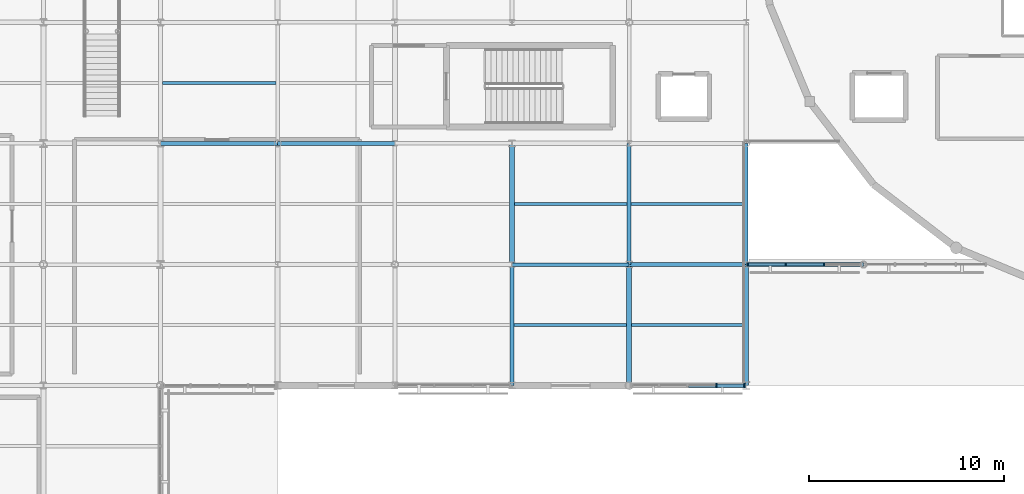
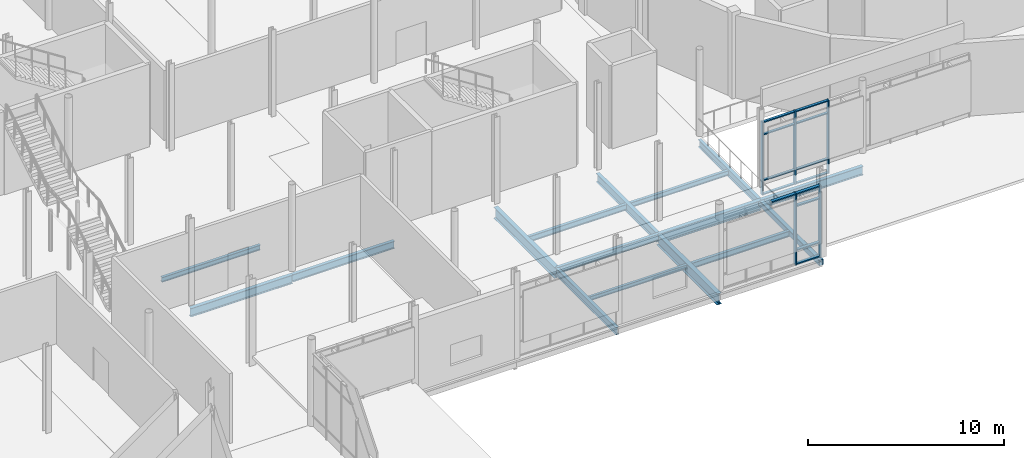
# One storey, part 27 of 105: 18 members, 16 beams, 2 elements without a shape of their own.
"""IFC4 building model written with IfcOpenShell, lengths in metres."""

from ifc_helpers import new_model, si_unit, direction, frame, origin, origin_2d, place, context, subcontext, project, spatial, rectangle, hollow_rectangle, i_section, extrude, material, layer, layer_set, material_profile, profile_set, type_object, element, aggregate, save


model = new_model("IFC4")

# Units and contexts
model_context = context("Model", 3, precision=1e-05, world=origin(), true_north=direction((0.0, 1.0)))
body_context = subcontext(model_context, "Body", "Model", "MODEL_VIEW")
ifc_project = project(units=[si_unit("LENGTHUNIT", "METRE"), si_unit("AREAUNIT", "SQUARE_METRE"), si_unit("VOLUMEUNIT", "CUBIC_METRE"), si_unit("PLANEANGLEUNIT", "RADIAN"), si_unit("MASSUNIT", "GRAM", prefix="KILO")], contexts=[model_context])

# Site, building, storey
site_placement = place(None, origin())
site = spatial("IfcSite", under=ifc_project, at=site_placement, CompositionType="ELEMENT")
building_placement = place(site_placement, origin())
building = spatial("IfcBuilding", under=site, at=building_placement, Name="Mirzam Square Science Centre", CompositionType="ELEMENT")
storey_placement = place(building_placement, frame((0.0, 0.0, 5.39990234375)))
storey = spatial("IfcBuildingStorey", under=building, at=storey_placement, Name="L01", CompositionType="ELEMENT", Elevation=5.39990234375)

# Beams
ifc_material_1 = material(Name="Steel S355", Category="steel")
ifc_material_profile_1 = material_profile(ifc_material_1, i_section(OverallWidth=0.1787109375, OverallDepth=0.409423828125, WebThickness=0.0087890625, FlangeThickness=0.014404296875, FilletRadius=0.01025390625, at=origin_2d()), Name="406x178x67UB")
ifc_profile_set_1 = profile_set([ifc_material_profile_1], Name="Steel S355")
beam_type_1 = type_object("IfcBeamType", Name="BM-UB406", PredefinedType="BEAM", material=ifc_profile_set_1)
beam_1_placement = place(storey_placement, frame((48.0, 43.39990234375, -0.464599609375), z_axis=(1.0, 0.0, 0.0), x_axis=(0.0, 1.0, 0.0)))
element("IfcBeam", 1, at=beam_1_placement, inside=storey, type_object=beam_type_1, Name="L01 girder X9-8", PredefinedType="BEAM", context=body_context, shape_type="SweptSolid", body=[
    extrude(i_section(OverallWidth=0.1787109375, OverallDepth=0.409423828125, WebThickness=0.0087890625, FlangeThickness=0.014404296875, FilletRadius=0.01025390625, at=origin_2d()), origin(), (0.0, 0.0, 1.0), 6.0),
])
ifc_material_profile_2 = material_profile(ifc_material_1, i_section(OverallWidth=0.19140625, OverallDepth=0.4599609375, WebThickness=0.010009765625, FlangeThickness=0.01611328125, FilletRadius=0.01025390625, at=origin_2d()), Name="457x191x82UB")
ifc_profile_set_2 = profile_set([ifc_material_profile_2], Name="Steel S355")
beam_type_2 = type_object("IfcBeamType", Name="BM-UB457", PredefinedType="BEAM", material=ifc_profile_set_2)
beam_2_placement = place(storey_placement, frame((36.0, 49.60009765625, -0.489990234375), z_axis=(1.0, 0.0, 0.0), x_axis=(0.0, 1.0, 0.0)))
element("IfcBeam", 2, at=beam_2_placement, inside=storey, type_object=beam_type_2, Name="L01 girder X7-9", PredefinedType="BEAM", context=body_context, shape_type="SweptSolid", body=[
    extrude(i_section(OverallWidth=0.19140625, OverallDepth=0.4599609375, WebThickness=0.010009765625, FlangeThickness=0.01611328125, FilletRadius=0.01025390625, at=origin_2d()), origin(), (0.0, 0.0, 1.0), 6.0),
])
beam_3_placement = place(storey_placement, frame((48.0, 37.199951171875, -0.489990234375), z_axis=(0.0, 1.0, 0.0), x_axis=(-1.0, 0.0, 0.0)))
element("IfcBeam", 3, at=beam_3_placement, inside=storey, type_object=beam_type_2, Name="L01 girder Y9-7", PredefinedType="BEAM", context=body_context, shape_type="SweptSolid", body=[
    extrude(i_section(OverallWidth=0.19140625, OverallDepth=0.4599609375, WebThickness=0.010009765625, FlangeThickness=0.01611328125, FilletRadius=0.01025390625, at=origin_2d()), origin(), (0.0, 0.0, 1.0), 6.199951171875),
])
beam_4_placement = place(storey_placement, frame((60.0, 43.39990234375, -0.489990234375), z_axis=(0.0, 1.0, 0.0), x_axis=(-1.0, 0.0, 0.0)))
element("IfcBeam", 4, at=beam_4_placement, inside=storey, type_object=beam_type_2, Name="L01 girder Y11-8", PredefinedType="BEAM", context=body_context, shape_type="SweptSolid", body=[
    extrude(i_section(OverallWidth=0.19140625, OverallDepth=0.4599609375, WebThickness=0.010009765625, FlangeThickness=0.01611328125, FilletRadius=0.01025390625, at=origin_2d()), origin(), (0.0, 0.0, 1.0), 6.2001953125),
])
ifc_material_profile_3 = material_profile(ifc_material_1, i_section(OverallWidth=0.2099609375, OverallDepth=0.53662109375, WebThickness=0.0107421875, FlangeThickness=0.017333984375, FilletRadius=0.0126953125, at=origin_2d()), Name="533x210x101UB")
ifc_profile_set_3 = profile_set([ifc_material_profile_3], Name="Steel S355")
beam_type_3 = type_object("IfcBeamType", Name="BM-UB533", PredefinedType="BEAM", material=ifc_profile_set_3)
for number, where, z_axis, x_axis, name in (
    (5, (60.0, 43.39990234375, -0.518310546875), (1.0, 0.0, 0.0), (0.0, 1.0, 0.0), "L01 girder X11-8"),
    (6, (30.0, 49.60009765625, -0.5283203125), (1.0, 0.0, 0.0), (0.0, 1.0, 0.0), "L01 girder X6-9"),
):
    element("IfcBeam", number, at=place(storey_placement, frame(where, z_axis=z_axis, x_axis=x_axis)), inside=storey, type_object=beam_type_3, Name=name, PredefinedType="BEAM", context=body_context, shape_type="SweptSolid", body=[
        extrude(i_section(OverallWidth=0.2099609375, OverallDepth=0.53662109375, WebThickness=0.0107421875, FlangeThickness=0.017333984375, FilletRadius=0.0126953125, at=origin_2d()), origin(), (0.0, 0.0, 1.0), 6.0),
    ])
beam_5_placement = place(storey_placement, frame((54.0, 43.39990234375, -0.5283203125), z_axis=(0.0, 1.0, 0.0), x_axis=(-1.0, 0.0, 0.0)))
element("IfcBeam", 7, at=beam_5_placement, inside=storey, type_object=beam_type_3, Name="L01 girder Y10-8", PredefinedType="BEAM", context=body_context, shape_type="SweptSolid", body=[
    extrude(i_section(OverallWidth=0.2099609375, OverallDepth=0.53662109375, WebThickness=0.0107421875, FlangeThickness=0.017333984375, FilletRadius=0.0126953125, at=origin_2d()), origin(), (0.0, 0.0, 1.0), 6.2001953125),
])
ifc_material_profile_4 = material_profile(ifc_material_1, i_section(OverallWidth=0.22900390625, OverallDepth=0.6123046875, WebThickness=0.011962890625, FlangeThickness=0.01953125, FilletRadius=0.0126953125, at=origin_2d()), Name="610x229x125UB")
ifc_profile_set_4 = profile_set([ifc_material_profile_4], Name="Steel S355")
beam_type_4 = type_object("IfcBeamType", Name="BM-UB610", PredefinedType="BEAM", material=ifc_profile_set_4)
beam_6_placement = place(storey_placement, frame((54.0, 43.39990234375, -0.56591796875), z_axis=(1.0, 0.0, 0.0), x_axis=(0.0, 1.0, 0.0)))
element("IfcBeam", 8, at=beam_6_placement, inside=storey, type_object=beam_type_4, Name="L01 girder X10-8", PredefinedType="BEAM", context=body_context, shape_type="SweptSolid", body=[
    extrude(i_section(OverallWidth=0.22900390625, OverallDepth=0.6123046875, WebThickness=0.011962890625, FlangeThickness=0.01953125, FilletRadius=0.0126953125, at=origin_2d()), origin(), (0.0, 0.0, 1.0), 6.0),
])
ifc_material_profile_5 = material_profile(ifc_material_1, i_section(OverallWidth=0.25439453125, OverallDepth=0.6875, WebThickness=0.01318359375, FlangeThickness=0.02099609375, FilletRadius=0.01513671875, at=origin_2d()), Name="686x254x152UB")
ifc_profile_set_5 = profile_set([ifc_material_profile_5], Name="Steel S355")
beam_type_5 = type_object("IfcBeamType", Name="BM-UB686", PredefinedType="BEAM", material=ifc_profile_set_5)
beam_7_placement = place(storey_placement, frame((48.0, 43.39990234375, -0.603759765625), z_axis=(0.0, 1.0, 0.0), x_axis=(-1.0, 0.0, 0.0)))
element("IfcBeam", 9, at=beam_7_placement, inside=storey, type_object=beam_type_5, Name="L01 girder Y9-8", PredefinedType="BEAM", context=body_context, shape_type="SweptSolid", body=[
    extrude(i_section(OverallWidth=0.25439453125, OverallDepth=0.6875, WebThickness=0.01318359375, FlangeThickness=0.02099609375, FilletRadius=0.01513671875, at=origin_2d()), origin(), (0.0, 0.0, 1.0), 6.2001953125),
])
beam_8_placement = place(storey_placement, frame((54.0, 37.199951171875, -0.603759765625), z_axis=(0.0, 1.0, 0.0), x_axis=(-1.0, 0.0, 0.0)))
element("IfcBeam", 10, at=beam_8_placement, inside=storey, type_object=beam_type_5, Name="L01 girder Y10-7", PredefinedType="BEAM", context=body_context, shape_type="SweptSolid", body=[
    extrude(i_section(OverallWidth=0.25439453125, OverallDepth=0.6875, WebThickness=0.01318359375, FlangeThickness=0.02099609375, FilletRadius=0.01513671875, at=origin_2d()), origin(), (0.0, 0.0, 1.0), 6.199951171875),
])

# Curtain wall, members
ifc_material_2 = material(Name="Anodised Aluminium and Low-E Solar Glass", Category="aluminium")
ifc_layer_1 = layer(ifc_material_2, 0.239990234375)
ifc_layer_set_1 = layer_set([ifc_layer_1], Name="CW-EAST-B")
curtain_wall_type_1 = type_object("IfcCurtainWallType", Name="CW-EAST-B", PredefinedType="USERDEFINED", material=ifc_layer_set_1)
curtain_wall_1_placement = place(storey_placement, origin())
curtain_wall_1 = element("IfcCurtainWall", 11, at=curtain_wall_1_placement, inside=storey, type_object=curtain_wall_type_1, Name="L01 unitised curtain wall 51", ObjectType="UNITISED CURTAIN WALL", PredefinedType="USERDEFINED")
ifc_material_3 = material(Name="Anodised Architectural Aluminium 6063-T6", Category="aluminium")
ifc_material_profile_6 = material_profile(ifc_material_3, rectangle(XDim=0.06494140625, YDim=0.199951171875, at=origin_2d()), Name="ALU-MULL-200x65x5")
ifc_profile_set_6 = profile_set([ifc_material_profile_6], Name="Anodised Architectural Aluminium 6063-T6")
member_type_1 = type_object("IfcMemberType", Name="CWM-200", PredefinedType="MULLION", material=ifc_profile_set_6)
member_1_placement = place(storey_placement, frame((60.08740234375, 43.39990234375, 0.0), z_axis=(0.0, 0.0, 1.0), x_axis=(1.0, 0.0, 0.0)))
member_1 = element("IfcMember", 12, at=member_1_placement, type_object=member_type_1, Name="CW-06 mullion 1", PredefinedType="MULLION", context=body_context, shape_type="SweptSolid", body=[
    extrude(rectangle(XDim=0.06494140625, YDim=0.199951171875, at=origin_2d()), origin(), (0.0, 0.0, 1.0), 4.550048828125),
])
member_2_placement = place(storey_placement, frame((62.018310546875, 43.39990234375, 0.0), z_axis=(0.0, 0.0, 1.0), x_axis=(1.0, 0.0, 0.0)))
member_2 = element("IfcMember", 13, at=member_2_placement, type_object=member_type_1, Name="CW-06 mullion 2", PredefinedType="MULLION", context=body_context, shape_type="SweptSolid", body=[
    extrude(rectangle(XDim=0.06494140625, YDim=0.199951171875, at=origin_2d()), origin(), (0.0, 0.0, 1.0), 4.550048828125),
])
member_3_placement = place(storey_placement, frame((63.981689453125, 43.39990234375, 0.0), z_axis=(0.0, 0.0, 1.0), x_axis=(1.0, 0.0, 0.0)))
member_3 = element("IfcMember", 14, at=member_3_placement, type_object=member_type_1, Name="CW-06 mullion 3", PredefinedType="MULLION", context=body_context, shape_type="SweptSolid", body=[
    extrude(rectangle(XDim=0.06494140625, YDim=0.199951171875, at=origin_2d()), origin(), (0.0, 0.0, 1.0), 4.550048828125),
])

ifc_layer_2 = layer(ifc_material_2, 0.159912109375)
ifc_layer_set_2 = layer_set([ifc_layer_2], Name="CW-COURT-B")
curtain_wall_type_2 = type_object("IfcCurtainWallType", Name="CW-COURT-B", PredefinedType="USERDEFINED", material=ifc_layer_set_2)
curtain_wall_2_placement = place(storey_placement, origin())
curtain_wall_2 = element("IfcCurtainWall", 15, at=curtain_wall_2_placement, inside=storey, type_object=curtain_wall_type_2, Name="L01 unitised curtain wall 20", ObjectType="UNITISED CURTAIN WALL", PredefinedType="USERDEFINED")
ifc_material_profile_7 = material_profile(ifc_material_3, rectangle(XDim=0.074951171875, YDim=0.239990234375, at=origin_2d()), Name="ALU-MULL-240x75x5")
ifc_profile_set_7 = profile_set([ifc_material_profile_7], Name="Anodised Architectural Aluminium 6063-T6")
member_type_2 = type_object("IfcMemberType", Name="CWM-240", PredefinedType="MULLION", material=ifc_profile_set_7)
member_4_placement = place(storey_placement, frame((58.472412109375, 37.199951171875, 0.0), z_axis=(0.0, 0.0, 1.0), x_axis=(1.0, 0.0, 0.0)))
member_4 = element("IfcMember", 16, at=member_4_placement, type_object=member_type_2, Name="CW-04 mullion 4", PredefinedType="MULLION", context=body_context, shape_type="SweptSolid", body=[
    extrude(rectangle(XDim=0.074951171875, YDim=0.239990234375, at=origin_2d()), origin(), (0.0, 0.0, 1.0), 4.440185546875),
])
member_5_placement = place(storey_placement, frame((59.907470703125, 37.199951171875, 0.0), z_axis=(0.0, 0.0, 1.0), x_axis=(1.0, 0.0, 0.0)))
member_5 = element("IfcMember", 17, at=member_5_placement, type_object=member_type_2, Name="CW-04 mullion 5", PredefinedType="MULLION", context=body_context, shape_type="SweptSolid", body=[
    extrude(rectangle(XDim=0.074951171875, YDim=0.239990234375, at=origin_2d()), origin(), (0.0, 0.0, 1.0), 4.440185546875),
])

# Member
ifc_material_profile_8 = material_profile(ifc_material_3, rectangle(XDim=0.14990234375, YDim=0.06494140625, at=origin_2d()), Name="ALU-TRAN-150x65x4")
ifc_profile_set_8 = profile_set([ifc_material_profile_8], Name="Anodised Architectural Aluminium 6063-T6")
member_type_3 = type_object("IfcMemberType", Name="CWT-150", PredefinedType="USERDEFINED", material=ifc_profile_set_8)
member_6_placement = place(storey_placement, frame((60.1201171875, 43.39990234375, 0.03271484375), z_axis=(1.0, 0.0, 0.0), x_axis=(0.0, 1.0, 0.0)))
member_6 = element("IfcMember", 18, at=member_6_placement, type_object=member_type_3, Name="CW-06 transom 1.1", ObjectType="TRANSOM", PredefinedType="USERDEFINED", context=body_context, shape_type="SweptSolid", body=[
    extrude(rectangle(XDim=0.14990234375, YDim=0.06494140625, at=origin_2d()), origin(), (0.0, 0.0, 1.0), 1.86572265625),
])

member_7_placement = place(storey_placement, frame((60.1201171875, 43.39990234375, 0.900146484375), z_axis=(1.0, 0.0, 0.0), x_axis=(0.0, 1.0, 0.0)))
member_7 = element("IfcMember", 19, at=member_7_placement, type_object=member_type_3, Name="CW-06 transom 1.2", ObjectType="TRANSOM", PredefinedType="USERDEFINED", context=body_context, shape_type="SweptSolid", body=[
    extrude(rectangle(XDim=0.14990234375, YDim=0.06494140625, at=origin_2d()), origin(), (0.0, 0.0, 1.0), 1.86572265625),
])

member_8_placement = place(storey_placement, frame((60.1201171875, 43.39990234375, 3.75), z_axis=(1.0, 0.0, 0.0), x_axis=(0.0, 1.0, 0.0)))
member_8 = element("IfcMember", 20, at=member_8_placement, type_object=member_type_3, Name="CW-06 transom 1.3", ObjectType="TRANSOM", PredefinedType="USERDEFINED", context=body_context, shape_type="SweptSolid", body=[
    extrude(rectangle(XDim=0.14990234375, YDim=0.06494140625, at=origin_2d()), origin(), (0.0, 0.0, 1.0), 1.86572265625),
])

member_9_placement = place(storey_placement, frame((60.1201171875, 43.39990234375, 4.517578125), z_axis=(1.0, 0.0, 0.0), x_axis=(0.0, 1.0, 0.0)))
member_9 = element("IfcMember", 21, at=member_9_placement, type_object=member_type_3, Name="CW-06 transom 1.4", ObjectType="TRANSOM", PredefinedType="USERDEFINED", context=body_context, shape_type="SweptSolid", body=[
    extrude(rectangle(XDim=0.14990234375, YDim=0.06494140625, at=origin_2d()), origin(), (0.0, 0.0, 1.0), 1.86572265625),
])

member_10_placement = place(storey_placement, frame((62.05078125, 43.39990234375, 0.03271484375), z_axis=(1.0, 0.0, 0.0), x_axis=(0.0, 1.0, 0.0)))
member_10 = element("IfcMember", 22, at=member_10_placement, type_object=member_type_3, Name="CW-06 transom 2.1", ObjectType="TRANSOM", PredefinedType="USERDEFINED", context=body_context, shape_type="SweptSolid", body=[
    extrude(rectangle(XDim=0.14990234375, YDim=0.06494140625, at=origin_2d()), origin(), (0.0, 0.0, 1.0), 1.8984375),
])

member_11_placement = place(storey_placement, frame((62.05078125, 43.39990234375, 0.900146484375), z_axis=(1.0, 0.0, 0.0), x_axis=(0.0, 1.0, 0.0)))
member_11 = element("IfcMember", 23, at=member_11_placement, type_object=member_type_3, Name="CW-06 transom 2.2", ObjectType="TRANSOM", PredefinedType="USERDEFINED", context=body_context, shape_type="SweptSolid", body=[
    extrude(rectangle(XDim=0.14990234375, YDim=0.06494140625, at=origin_2d()), origin(), (0.0, 0.0, 1.0), 1.8984375),
])

member_12_placement = place(storey_placement, frame((62.05078125, 43.39990234375, 3.75), z_axis=(1.0, 0.0, 0.0), x_axis=(0.0, 1.0, 0.0)))
member_12 = element("IfcMember", 24, at=member_12_placement, type_object=member_type_3, Name="CW-06 transom 2.3", ObjectType="TRANSOM", PredefinedType="USERDEFINED", context=body_context, shape_type="SweptSolid", body=[
    extrude(rectangle(XDim=0.14990234375, YDim=0.06494140625, at=origin_2d()), origin(), (0.0, 0.0, 1.0), 1.8984375),
])

member_13_placement = place(storey_placement, frame((62.05078125, 43.39990234375, 4.517578125), z_axis=(1.0, 0.0, 0.0), x_axis=(0.0, 1.0, 0.0)))
member_13 = element("IfcMember", 25, at=member_13_placement, type_object=member_type_3, Name="CW-06 transom 2.4", ObjectType="TRANSOM", PredefinedType="USERDEFINED", context=body_context, shape_type="SweptSolid", body=[
    extrude(rectangle(XDim=0.14990234375, YDim=0.06494140625, at=origin_2d()), origin(), (0.0, 0.0, 1.0), 1.8984375),
])

aggregate(curtain_wall_1, [member_1, member_2, member_3, member_6, member_7, member_8, member_9, member_10, member_11, member_12, member_13])

ifc_material_profile_9 = material_profile(ifc_material_3, rectangle(XDim=0.179931640625, YDim=0.074951171875, at=origin_2d()), Name="ALU-TRAN-180x75x5")
ifc_profile_set_9 = profile_set([ifc_material_profile_9], Name="Anodised Architectural Aluminium 6063-T6")
member_type_4 = type_object("IfcMemberType", Name="CWT-180", PredefinedType="USERDEFINED", material=ifc_profile_set_9)
member_14_placement = place(storey_placement, frame((57.03759765625, 37.199951171875, 4.402587890625), z_axis=(1.0, 0.0, 0.0), x_axis=(0.0, 1.0, 0.0)))
member_14 = element("IfcMember", 26, at=member_14_placement, type_object=member_type_4, Name="CW-04 transom 3.4", ObjectType="TRANSOM", PredefinedType="USERDEFINED", context=body_context, shape_type="SweptSolid", body=[
    extrude(rectangle(XDim=0.179931640625, YDim=0.074951171875, at=origin_2d()), origin(), (0.0, 0.0, 1.0), 1.3974609375),
])

member_15_placement = place(storey_placement, frame((58.510009765625, 37.199951171875, 0.03759765625), z_axis=(1.0, 0.0, 0.0), x_axis=(0.0, 1.0, 0.0)))
member_15 = element("IfcMember", 27, at=member_15_placement, type_object=member_type_4, Name="CW-04 transom 4.1", ObjectType="TRANSOM", PredefinedType="USERDEFINED", context=body_context, shape_type="SweptSolid", body=[
    extrude(rectangle(XDim=0.179931640625, YDim=0.074951171875, at=origin_2d()), origin(), (0.0, 0.0, 1.0), 1.360107421875),
])

member_16_placement = place(storey_placement, frame((58.510009765625, 37.199951171875, 0.900146484375), z_axis=(1.0, 0.0, 0.0), x_axis=(0.0, 1.0, 0.0)))
member_16 = element("IfcMember", 28, at=member_16_placement, type_object=member_type_4, Name="CW-04 transom 4.2", ObjectType="TRANSOM", PredefinedType="USERDEFINED", context=body_context, shape_type="SweptSolid", body=[
    extrude(rectangle(XDim=0.179931640625, YDim=0.074951171875, at=origin_2d()), origin(), (0.0, 0.0, 1.0), 1.360107421875),
])

member_17_placement = place(storey_placement, frame((58.510009765625, 37.199951171875, 3.64013671875), z_axis=(1.0, 0.0, 0.0), x_axis=(0.0, 1.0, 0.0)))
member_17 = element("IfcMember", 29, at=member_17_placement, type_object=member_type_4, Name="CW-04 transom 4.3", ObjectType="TRANSOM", PredefinedType="USERDEFINED", context=body_context, shape_type="SweptSolid", body=[
    extrude(rectangle(XDim=0.179931640625, YDim=0.074951171875, at=origin_2d()), origin(), (0.0, 0.0, 1.0), 1.360107421875),
])

member_18_placement = place(storey_placement, frame((58.510009765625, 37.199951171875, 4.402587890625), z_axis=(1.0, 0.0, 0.0), x_axis=(0.0, 1.0, 0.0)))
member_18 = element("IfcMember", 30, at=member_18_placement, type_object=member_type_4, Name="CW-04 transom 4.4", ObjectType="TRANSOM", PredefinedType="USERDEFINED", context=body_context, shape_type="SweptSolid", body=[
    extrude(rectangle(XDim=0.179931640625, YDim=0.074951171875, at=origin_2d()), origin(), (0.0, 0.0, 1.0), 1.360107421875),
])

aggregate(curtain_wall_2, [member_4, member_5, member_14, member_15, member_16, member_17, member_18])

# Beams
ifc_material_profile_10 = material_profile(ifc_material_1, i_section(OverallWidth=0.146484375, OverallDepth=0.256103515625, WebThickness=0.00634765625, FlangeThickness=0.010986328125, FilletRadius=0.007568359375, at=origin_2d()), Name="254x146x37UB")
ifc_profile_set_10 = profile_set([ifc_material_profile_10], Name="Steel S355")
beam_type_6 = type_object("IfcBeamType", Name="JS-UB254", PredefinedType="JOIST", material=ifc_profile_set_10)
beam_9_placement = place(storey_placement, frame((48.095703125, 40.300048828125, -0.387939453125), z_axis=(1.0, 0.0, 0.0), x_axis=(0.0, 1.0, 0.0)))
element("IfcBeam", 31, at=beam_9_placement, inside=storey, type_object=beam_type_6, Name="L01 composite joist 9-7", PredefinedType="JOIST", context=body_context, shape_type="SweptSolid", body=[
    extrude(i_section(OverallWidth=0.146484375, OverallDepth=0.256103515625, WebThickness=0.00634765625, FlangeThickness=0.010986328125, FilletRadius=0.007568359375, at=origin_2d()), origin(), (0.0, 0.0, 1.0), 5.777099609375),
])
ifc_material_profile_11 = material_profile(ifc_material_1, i_section(OverallWidth=0.165771484375, OverallDepth=0.306640625, WebThickness=0.006591796875, FlangeThickness=0.01171875, FilletRadius=0.0087890625, at=origin_2d()), Name="305x165x46UB")
ifc_profile_set_11 = profile_set([ifc_material_profile_11], Name="Steel S355")
beam_type_7 = type_object("IfcBeamType", Name="JS-UB305", PredefinedType="JOIST", material=ifc_profile_set_11)
for number, where, z_axis, x_axis, name in (
    (32, (30.10498046875, 52.699951171875, -0.4130859375), (1.0, 0.0, 0.0), (0.0, 1.0, 0.0), "L01 composite joist 6-9"),
    (33, (54.10498046875, 46.5, -0.4130859375), (1.0, 0.0, 0.0), (0.0, 1.0, 0.0), "L01 composite joist 10-8"),
):
    element("IfcBeam", number, at=place(storey_placement, frame(where, z_axis=z_axis, x_axis=x_axis)), inside=storey, type_object=beam_type_7, Name=name, PredefinedType="JOIST", context=body_context, shape_type="SweptSolid", body=[
        extrude(i_section(OverallWidth=0.165771484375, OverallDepth=0.306640625, WebThickness=0.006591796875, FlangeThickness=0.01171875, FilletRadius=0.0087890625, at=origin_2d()), origin(), (0.0, 0.0, 1.0), 5.79931640625),
    ])
ifc_material_profile_12 = material_profile(ifc_material_1, i_section(OverallWidth=0.172119140625, OverallDepth=0.35791015625, WebThickness=0.008056640625, FlangeThickness=0.012939453125, FilletRadius=0.01025390625, at=origin_2d()), Name="356x171x57UB")
ifc_profile_set_12 = profile_set([ifc_material_profile_12], Name="Steel S355")
beam_type_8 = type_object("IfcBeamType", Name="JS-UB356", PredefinedType="JOIST", material=ifc_profile_set_12)
beam_10_placement = place(storey_placement, frame((48.127197265625, 46.5, -0.43896484375), z_axis=(1.0, 0.0, 0.0), x_axis=(0.0, 1.0, 0.0)))
element("IfcBeam", 34, at=beam_10_placement, inside=storey, type_object=beam_type_8, Name="L01 composite joist 9-8", PredefinedType="JOIST", context=body_context, shape_type="SweptSolid", body=[
    extrude(i_section(OverallWidth=0.172119140625, OverallDepth=0.35791015625, WebThickness=0.008056640625, FlangeThickness=0.012939453125, FilletRadius=0.01025390625, at=origin_2d()), origin(), (0.0, 0.0, 1.0), 5.767822265625),
])
beam_11_placement = place(storey_placement, frame((54.127197265625, 40.300048828125, -0.43896484375), z_axis=(1.0, 0.0, 0.0), x_axis=(0.0, 1.0, 0.0)))
element("IfcBeam", 35, at=beam_11_placement, inside=storey, type_object=beam_type_8, Name="L01 composite joist 10-7", PredefinedType="JOIST", context=body_context, shape_type="SweptSolid", body=[
    extrude(i_section(OverallWidth=0.172119140625, OverallDepth=0.35791015625, WebThickness=0.008056640625, FlangeThickness=0.012939453125, FilletRadius=0.01025390625, at=origin_2d()), origin(), (0.0, 0.0, 1.0), 5.747802734375),
])
ifc_material_profile_13 = material_profile(ifc_material_1, hollow_rectangle(XDim=0.25, YDim=0.35009765625, WallThickness=0.012451171875, InnerFilletRadius=0.012451171875, OuterFilletRadius=0.02490234375, at=origin_2d()), Name="350x250x12.5RHS")
ifc_profile_set_13 = profile_set([ifc_material_profile_13], Name="Steel S355")
beam_type_9 = type_object("IfcBeamType", Name="SP-RHS350", PredefinedType="SPANDREL", material=ifc_profile_set_13)
beam_12_placement = place(storey_placement, frame((60.0, 37.199951171875, -0.434814453125), z_axis=(0.0, 1.0, 0.0), x_axis=(-1.0, 0.0, 0.0)))
element("IfcBeam", 36, at=beam_12_placement, inside=storey, type_object=beam_type_9, Name="L01 girder Y11-7", PredefinedType="SPANDREL", context=body_context, shape_type="SweptSolid", body=[
    extrude(hollow_rectangle(XDim=0.25, YDim=0.35009765625, WallThickness=0.012451171875, InnerFilletRadius=0.012451171875, OuterFilletRadius=0.02490234375, at=origin_2d()), origin(), (0.0, 0.0, 1.0), 6.199951171875),
])

save(model, "model.ifc")
